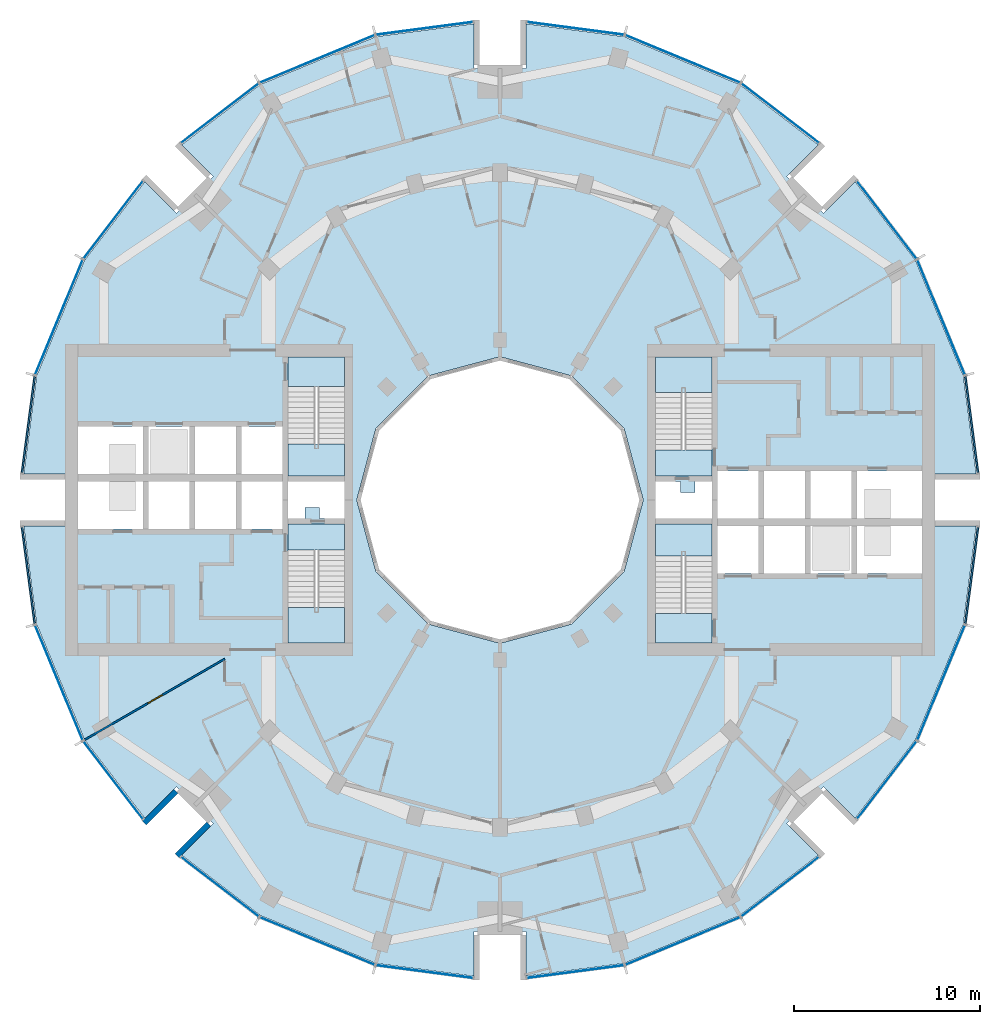
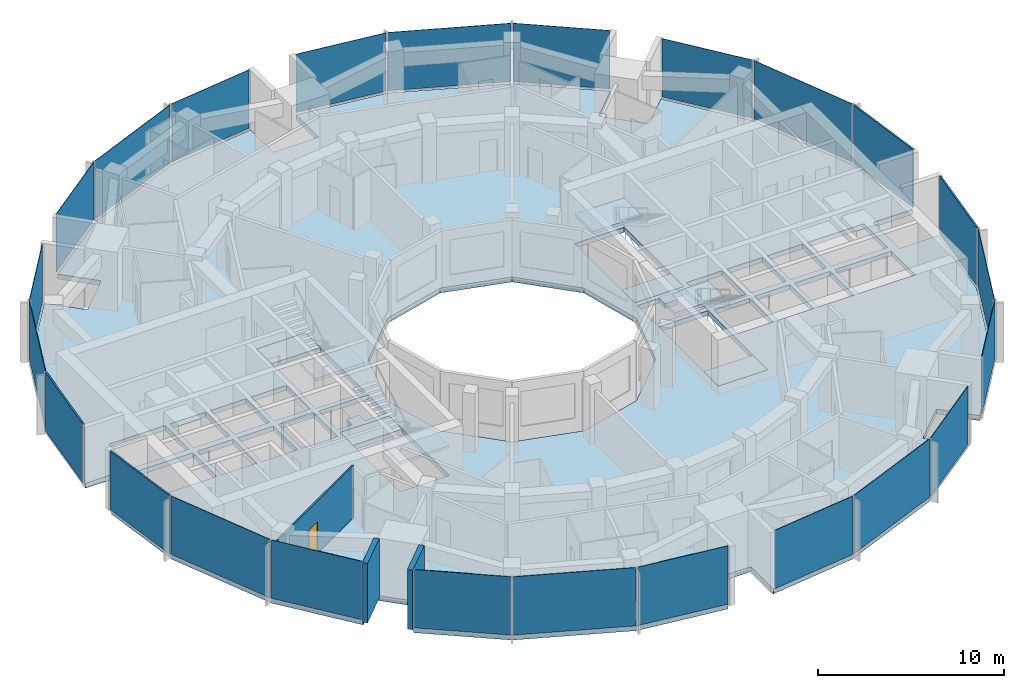
# One storey, part 7 of 15: 24 plates, 9 slabs, 3 walls, 1 door, 1 opening, 28 elements without a shape of their own.
"""IFC4 building model written with IfcOpenShell, lengths in metres."""

from ifc_helpers import new_model, si_unit, direction, frame, frame_2d, origin, origin_2d, place, context, subcontext, project, spatial, polyline, rectangle, outline, extrude, material, layer, layer_set, type_object, element, fill, aggregate, save


model = new_model("IFC4")

# Units and contexts
model_context = context("Model", 3, precision=1e-05, world=origin(), true_north=direction((0.0, 1.0)))
body_context = subcontext(model_context, "Body", "Model", "MODEL_VIEW")
ifc_project = project(units=[si_unit("LENGTHUNIT", "METRE"), si_unit("AREAUNIT", "SQUARE_METRE"), si_unit("VOLUMEUNIT", "CUBIC_METRE"), si_unit("PLANEANGLEUNIT", "RADIAN"), si_unit("MASSUNIT", "GRAM", prefix="KILO")], contexts=[model_context])

# Site, building, storey
site_placement = place(None, origin())
site = spatial("IfcSite", under=ifc_project, at=site_placement, CompositionType="ELEMENT")
building_placement = place(site_placement, origin())
building = spatial("IfcBuilding", under=site, at=building_placement, Name="Torre Brocal", CompositionType="ELEMENT")
storey_placement = place(building_placement, frame((0.0, 0.0, 134.10009765625)))
storey = spatial("IfcBuildingStorey", under=building, at=storey_placement, Name="L31", CompositionType="ELEMENT", Elevation=134.10009765625)

# Curtain wall, plate
ifc_material_1 = material(Name="Aluminium and glass", Category="aluminium")
ifc_layer_1 = layer(ifc_material_1, 0.199951171875)
ifc_layer_set_1 = layer_set([ifc_layer_1], Name="Aluminium and glass")
curtain_wall_type_1 = type_object("IfcCurtainWallType", Name="CW-1 CURTAIN WALL 3900 HIGH", PredefinedType="NOTDEFINED", material=ifc_layer_set_1)
curtain_wall_1_placement = place(storey_placement, origin())
curtain_wall_1 = element("IfcCurtainWall", 1, at=curtain_wall_1_placement, inside=storey, type_object=curtain_wall_type_1, Name="CW-1 RUN 2", PredefinedType="NOTDEFINED")
ifc_material_2 = material(Name="Glass, dark tinted laminated", Category="glass")
ifc_layer_2 = layer(ifc_material_2, 0.031982421875)
ifc_layer_set_2 = layer_set([ifc_layer_2], Name="Glass, dark tinted laminated")
plate_type_1 = type_object("IfcPlateType", Name="CW-1 GLASS PANEL 32", PredefinedType="CURTAIN_PANEL", material=ifc_layer_set_2)
plate_1_placement = place(storey_placement, frame((103.722900390625, 84.826416015625, 0.080078125), z_axis=(0.0, 0.0, 1.0), x_axis=(-0.382683432333, 0.923879532525, 0.0)))
plate_1 = element("IfcPlate", 2, at=plate_1_placement, type_object=plate_type_1, Name="CW1-3 panel 1.1", PredefinedType="CURTAIN_PANEL", context=body_context, shape_type="SweptSolid", body=[
    extrude(rectangle(XDim=6.64111328125, YDim=0.031982421875, at=origin_2d()), origin(), (0.0, 0.0, 1.0), 3.820068359375),
])
aggregate(curtain_wall_1, [plate_1])

curtain_wall_2_placement = place(storey_placement, origin())
curtain_wall_2 = element("IfcCurtainWall", 3, at=curtain_wall_2_placement, inside=storey, type_object=curtain_wall_type_1, Name="CW-1 RUN 3", PredefinedType="NOTDEFINED")
plate_2_placement = place(storey_placement, frame((100.80126953125, 90.0712890625, 0.080078125), z_axis=(0.0, 0.0, 1.0), x_axis=(-0.60876142905, 0.793353340259, 0.0)))
plate_2 = element("IfcPlate", 4, at=plate_2_placement, type_object=plate_type_1, Name="CW1-3 panel 1.1", PredefinedType="CURTAIN_PANEL", context=body_context, shape_type="SweptSolid", body=[
    extrude(rectangle(XDim=5.22900390625, YDim=0.031982421875, at=origin_2d()), origin(), (0.0, 0.0, 1.0), 3.820068359375),
])
aggregate(curtain_wall_2, [plate_2])

curtain_wall_3_placement = place(storey_placement, origin())
curtain_wall_3 = element("IfcCurtainWall", 5, at=curtain_wall_3_placement, inside=storey, type_object=curtain_wall_type_1, Name="CW-1 RUN 4", PredefinedType="NOTDEFINED")
plate_3_placement = place(storey_placement, frame((95.0712890625, 95.80126953125, 0.080078125), z_axis=(0.0, 0.0, 1.0), x_axis=(-0.793353340259, 0.60876142905, 0.0)))
plate_3 = element("IfcPlate", 6, at=plate_3_placement, type_object=plate_type_1, Name="CW1-3 panel 1.1", PredefinedType="CURTAIN_PANEL", context=body_context, shape_type="SweptSolid", body=[
    extrude(rectangle(XDim=5.22900390625, YDim=0.031982421875, at=origin_2d()), origin(), (0.0, 0.0, 1.0), 3.820068359375),
])
aggregate(curtain_wall_3, [plate_3])

curtain_wall_4_placement = place(storey_placement, origin())
curtain_wall_4 = element("IfcCurtainWall", 7, at=curtain_wall_4_placement, inside=storey, type_object=curtain_wall_type_1, Name="CW-1 RUN 5", PredefinedType="NOTDEFINED")
plate_4_placement = place(storey_placement, frame((89.826416015625, 98.722900390625, 0.080078125), z_axis=(0.0, 0.0, 1.0), x_axis=(-0.923879532525, 0.382683432333, 0.0)))
plate_4 = element("IfcPlate", 8, at=plate_4_placement, type_object=plate_type_1, Name="CW1-3 panel 1.1", PredefinedType="CURTAIN_PANEL", context=body_context, shape_type="SweptSolid", body=[
    extrude(rectangle(XDim=6.64111328125, YDim=0.031982421875, at=origin_2d()), origin(), (0.0, 0.0, 1.0), 3.820068359375),
])
aggregate(curtain_wall_4, [plate_4])

curtain_wall_5_placement = place(storey_placement, origin())
curtain_wall_5 = element("IfcCurtainWall", 9, at=curtain_wall_5_placement, inside=storey, type_object=curtain_wall_type_1, Name="CW-1 RUN 6", PredefinedType="NOTDEFINED")
plate_5_placement = place(storey_placement, frame((84.051513671875, 100.36572265625, 0.080078125), z_axis=(0.0, 0.0, 1.0), x_axis=(-0.991444861374, 0.13052619222, 0.0)))
plate_5 = element("IfcPlate", 10, at=plate_5_placement, type_object=plate_type_1, Name="CW1-3 panel 1.1", PredefinedType="CURTAIN_PANEL", context=body_context, shape_type="SweptSolid", body=[
    extrude(rectangle(XDim=5.22900390625, YDim=0.031982421875, at=origin_2d()), origin(), (0.0, 0.0, 1.0), 3.820068359375),
])
aggregate(curtain_wall_5, [plate_5])

curtain_wall_6_placement = place(storey_placement, origin())
curtain_wall_6 = element("IfcCurtainWall", 11, at=curtain_wall_6_placement, inside=storey, type_object=curtain_wall_type_1, Name="CW-1 RUN 7", PredefinedType="NOTDEFINED")
plate_6_placement = place(storey_placement, frame((75.948486328125, 100.36572265625, 0.080078125), z_axis=(0.0, 0.0, 1.0), x_axis=(-0.991444861374, -0.13052619222, 0.0)))
plate_6 = element("IfcPlate", 12, at=plate_6_placement, type_object=plate_type_1, Name="CW1-3 panel 1.1", PredefinedType="CURTAIN_PANEL", context=body_context, shape_type="SweptSolid", body=[
    extrude(rectangle(XDim=5.22900390625, YDim=0.031982421875, at=origin_2d()), origin(), (0.0, 0.0, 1.0), 3.820068359375),
])
aggregate(curtain_wall_6, [plate_6])

curtain_wall_7_placement = place(storey_placement, origin())
curtain_wall_7 = element("IfcCurtainWall", 13, at=curtain_wall_7_placement, inside=storey, type_object=curtain_wall_type_1, Name="CW-1 RUN 8", PredefinedType="NOTDEFINED")
plate_7_placement = place(storey_placement, frame((70.173583984375, 98.722900390625, 0.080078125), z_axis=(0.0, 0.0, 1.0), x_axis=(-0.923879532525, -0.382683432333, 0.0)))
plate_7 = element("IfcPlate", 14, at=plate_7_placement, type_object=plate_type_1, Name="CW1-3 panel 1.1", PredefinedType="CURTAIN_PANEL", context=body_context, shape_type="SweptSolid", body=[
    extrude(rectangle(XDim=6.64111328125, YDim=0.031982421875, at=origin_2d()), origin(), (0.0, 0.0, 1.0), 3.820068359375),
])
aggregate(curtain_wall_7, [plate_7])

curtain_wall_8_placement = place(storey_placement, origin())
curtain_wall_8 = element("IfcCurtainWall", 15, at=curtain_wall_8_placement, inside=storey, type_object=curtain_wall_type_1, Name="CW-1 RUN 9", PredefinedType="NOTDEFINED")
plate_8_placement = place(storey_placement, frame((64.9287109375, 95.80126953125, 0.080078125), z_axis=(0.0, 0.0, 1.0), x_axis=(-0.793353340259, -0.60876142905, 0.0)))
plate_8 = element("IfcPlate", 16, at=plate_8_placement, type_object=plate_type_1, Name="CW1-3 panel 1.1", PredefinedType="CURTAIN_PANEL", context=body_context, shape_type="SweptSolid", body=[
    extrude(rectangle(XDim=5.22900390625, YDim=0.031982421875, at=origin_2d()), origin(), (0.0, 0.0, 1.0), 3.820068359375),
])
aggregate(curtain_wall_8, [plate_8])

curtain_wall_9_placement = place(storey_placement, origin())
curtain_wall_9 = element("IfcCurtainWall", 17, at=curtain_wall_9_placement, inside=storey, type_object=curtain_wall_type_1, Name="CW-1 RUN 10", PredefinedType="NOTDEFINED")
plate_9_placement = place(storey_placement, frame((59.19873046875, 90.0712890625, 0.080078125), z_axis=(0.0, 0.0, 1.0), x_axis=(-0.60876142905, -0.793353340259, 0.0)))
plate_9 = element("IfcPlate", 18, at=plate_9_placement, type_object=plate_type_1, Name="CW1-3 panel 1.1", PredefinedType="CURTAIN_PANEL", context=body_context, shape_type="SweptSolid", body=[
    extrude(rectangle(XDim=5.22900390625, YDim=0.031982421875, at=origin_2d()), origin(), (0.0, 0.0, 1.0), 3.820068359375),
])
aggregate(curtain_wall_9, [plate_9])

curtain_wall_10_placement = place(storey_placement, origin())
curtain_wall_10 = element("IfcCurtainWall", 19, at=curtain_wall_10_placement, inside=storey, type_object=curtain_wall_type_1, Name="CW-1 RUN 11", PredefinedType="NOTDEFINED")
plate_10_placement = place(storey_placement, frame((56.277099609375, 84.826416015625, 0.080078125), z_axis=(0.0, 0.0, 1.0), x_axis=(-0.382683432333, -0.923879532525, 0.0)))
plate_10 = element("IfcPlate", 20, at=plate_10_placement, type_object=plate_type_1, Name="CW1-3 panel 1.1", PredefinedType="CURTAIN_PANEL", context=body_context, shape_type="SweptSolid", body=[
    extrude(rectangle(XDim=6.64111328125, YDim=0.031982421875, at=origin_2d()), origin(), (0.0, 0.0, 1.0), 3.820068359375),
])
aggregate(curtain_wall_10, [plate_10])

curtain_wall_11_placement = place(storey_placement, origin())
curtain_wall_11 = element("IfcCurtainWall", 21, at=curtain_wall_11_placement, inside=storey, type_object=curtain_wall_type_1, Name="CW-1 RUN 14", PredefinedType="NOTDEFINED")
plate_11_placement = place(storey_placement, frame((56.277099609375, 65.173583984375, 0.080078125), z_axis=(0.0, 0.0, 1.0), x_axis=(0.382683432333, -0.923879532525, 0.0)))
plate_11 = element("IfcPlate", 22, at=plate_11_placement, type_object=plate_type_1, Name="CW1-3 panel 1.1", PredefinedType="CURTAIN_PANEL", context=body_context, shape_type="SweptSolid", body=[
    extrude(rectangle(XDim=6.64111328125, YDim=0.031982421875, at=origin_2d()), origin(), (0.0, 0.0, 1.0), 3.820068359375),
])
aggregate(curtain_wall_11, [plate_11])

curtain_wall_12_placement = place(storey_placement, origin())
curtain_wall_12 = element("IfcCurtainWall", 23, at=curtain_wall_12_placement, inside=storey, type_object=curtain_wall_type_1, Name="CW-1 RUN 15", PredefinedType="NOTDEFINED")
plate_12_placement = place(storey_placement, frame((59.19873046875, 59.9287109375, 0.080078125), z_axis=(0.0, 0.0, 1.0), x_axis=(0.60876142905, -0.793353340259, 0.0)))
plate_12 = element("IfcPlate", 24, at=plate_12_placement, type_object=plate_type_1, Name="CW1-3 panel 1.1", PredefinedType="CURTAIN_PANEL", context=body_context, shape_type="SweptSolid", body=[
    extrude(rectangle(XDim=5.22900390625, YDim=0.031982421875, at=origin_2d()), origin(), (0.0, 0.0, 1.0), 3.820068359375),
])
aggregate(curtain_wall_12, [plate_12])

curtain_wall_13_placement = place(storey_placement, origin())
curtain_wall_13 = element("IfcCurtainWall", 25, at=curtain_wall_13_placement, inside=storey, type_object=curtain_wall_type_1, Name="CW-1 RUN 16", PredefinedType="NOTDEFINED")
plate_13_placement = place(storey_placement, frame((64.9287109375, 54.19873046875, 0.080078125), z_axis=(0.0, 0.0, 1.0), x_axis=(0.793353340259, -0.60876142905, 0.0)))
plate_13 = element("IfcPlate", 26, at=plate_13_placement, type_object=plate_type_1, Name="CW1-3 panel 1.1", PredefinedType="CURTAIN_PANEL", context=body_context, shape_type="SweptSolid", body=[
    extrude(rectangle(XDim=5.22900390625, YDim=0.031982421875, at=origin_2d()), origin(), (0.0, 0.0, 1.0), 3.820068359375),
])
aggregate(curtain_wall_13, [plate_13])

curtain_wall_14_placement = place(storey_placement, origin())
curtain_wall_14 = element("IfcCurtainWall", 27, at=curtain_wall_14_placement, inside=storey, type_object=curtain_wall_type_1, Name="CW-1 RUN 17", PredefinedType="NOTDEFINED")
plate_14_placement = place(storey_placement, frame((70.173583984375, 51.277099609375, 0.080078125), z_axis=(0.0, 0.0, 1.0), x_axis=(0.923879532525, -0.382683432333, 0.0)))
plate_14 = element("IfcPlate", 28, at=plate_14_placement, type_object=plate_type_1, Name="CW1-3 panel 1.1", PredefinedType="CURTAIN_PANEL", context=body_context, shape_type="SweptSolid", body=[
    extrude(rectangle(XDim=6.64111328125, YDim=0.031982421875, at=origin_2d()), origin(), (0.0, 0.0, 1.0), 3.820068359375),
])
aggregate(curtain_wall_14, [plate_14])

curtain_wall_15_placement = place(storey_placement, origin())
curtain_wall_15 = element("IfcCurtainWall", 29, at=curtain_wall_15_placement, inside=storey, type_object=curtain_wall_type_1, Name="CW-1 RUN 18", PredefinedType="NOTDEFINED")
plate_15_placement = place(storey_placement, frame((75.948486328125, 49.63427734375, 0.080078125), z_axis=(0.0, 0.0, 1.0), x_axis=(0.991444861374, -0.13052619222, 0.0)))
plate_15 = element("IfcPlate", 30, at=plate_15_placement, type_object=plate_type_1, Name="CW1-3 panel 1.1", PredefinedType="CURTAIN_PANEL", context=body_context, shape_type="SweptSolid", body=[
    extrude(rectangle(XDim=5.22900390625, YDim=0.031982421875, at=origin_2d()), origin(), (0.0, 0.0, 1.0), 3.820068359375),
])
aggregate(curtain_wall_15, [plate_15])

curtain_wall_16_placement = place(storey_placement, origin())
curtain_wall_16 = element("IfcCurtainWall", 31, at=curtain_wall_16_placement, inside=storey, type_object=curtain_wall_type_1, Name="CW-1 RUN 19", PredefinedType="NOTDEFINED")
plate_16_placement = place(storey_placement, frame((84.051513671875, 49.63427734375, 0.080078125), z_axis=(0.0, 0.0, 1.0), x_axis=(0.991444861374, 0.13052619222, 0.0)))
plate_16 = element("IfcPlate", 32, at=plate_16_placement, type_object=plate_type_1, Name="CW1-3 panel 1.1", PredefinedType="CURTAIN_PANEL", context=body_context, shape_type="SweptSolid", body=[
    extrude(rectangle(XDim=5.22900390625, YDim=0.031982421875, at=origin_2d()), origin(), (0.0, 0.0, 1.0), 3.820068359375),
])
aggregate(curtain_wall_16, [plate_16])

curtain_wall_17_placement = place(storey_placement, origin())
curtain_wall_17 = element("IfcCurtainWall", 33, at=curtain_wall_17_placement, inside=storey, type_object=curtain_wall_type_1, Name="CW-1 RUN 20", PredefinedType="NOTDEFINED")
plate_17_placement = place(storey_placement, frame((89.826416015625, 51.277099609375, 0.080078125), z_axis=(0.0, 0.0, 1.0), x_axis=(0.923879532525, 0.382683432333, 0.0)))
plate_17 = element("IfcPlate", 34, at=plate_17_placement, type_object=plate_type_1, Name="CW1-3 panel 1.1", PredefinedType="CURTAIN_PANEL", context=body_context, shape_type="SweptSolid", body=[
    extrude(rectangle(XDim=6.64111328125, YDim=0.031982421875, at=origin_2d()), origin(), (0.0, 0.0, 1.0), 3.820068359375),
])
aggregate(curtain_wall_17, [plate_17])

curtain_wall_18_placement = place(storey_placement, origin())
curtain_wall_18 = element("IfcCurtainWall", 35, at=curtain_wall_18_placement, inside=storey, type_object=curtain_wall_type_1, Name="CW-1 RUN 21", PredefinedType="NOTDEFINED")
plate_18_placement = place(storey_placement, frame((95.0712890625, 54.19873046875, 0.080078125), z_axis=(0.0, 0.0, 1.0), x_axis=(0.793353340259, 0.60876142905, 0.0)))
plate_18 = element("IfcPlate", 36, at=plate_18_placement, type_object=plate_type_1, Name="CW1-3 panel 1.1", PredefinedType="CURTAIN_PANEL", context=body_context, shape_type="SweptSolid", body=[
    extrude(rectangle(XDim=5.22900390625, YDim=0.031982421875, at=origin_2d()), origin(), (0.0, 0.0, 1.0), 3.820068359375),
])
aggregate(curtain_wall_18, [plate_18])

curtain_wall_19_placement = place(storey_placement, origin())
curtain_wall_19 = element("IfcCurtainWall", 37, at=curtain_wall_19_placement, inside=storey, type_object=curtain_wall_type_1, Name="CW-1 RUN 22", PredefinedType="NOTDEFINED")
plate_19_placement = place(storey_placement, frame((100.80126953125, 59.9287109375, 0.080078125), z_axis=(0.0, 0.0, 1.0), x_axis=(0.60876142905, 0.793353340259, 0.0)))
plate_19 = element("IfcPlate", 38, at=plate_19_placement, type_object=plate_type_1, Name="CW1-3 panel 1.1", PredefinedType="CURTAIN_PANEL", context=body_context, shape_type="SweptSolid", body=[
    extrude(rectangle(XDim=5.22900390625, YDim=0.031982421875, at=origin_2d()), origin(), (0.0, 0.0, 1.0), 3.820068359375),
])
aggregate(curtain_wall_19, [plate_19])

curtain_wall_20_placement = place(storey_placement, origin())
curtain_wall_20 = element("IfcCurtainWall", 39, at=curtain_wall_20_placement, inside=storey, type_object=curtain_wall_type_1, Name="CW-1 RUN 23", PredefinedType="NOTDEFINED")
plate_20_placement = place(storey_placement, frame((103.722900390625, 65.173583984375, 0.080078125), z_axis=(0.0, 0.0, 1.0), x_axis=(0.382683432333, 0.923879532525, 0.0)))
plate_20 = element("IfcPlate", 40, at=plate_20_placement, type_object=plate_type_1, Name="CW1-3 panel 1.1", PredefinedType="CURTAIN_PANEL", context=body_context, shape_type="SweptSolid", body=[
    extrude(rectangle(XDim=6.64111328125, YDim=0.031982421875, at=origin_2d()), origin(), (0.0, 0.0, 1.0), 3.820068359375),
])
aggregate(curtain_wall_20, [plate_20])

ifc_material_3 = material(Name="Aluminium and glass", Category="aluminium")
ifc_layer_3 = layer(ifc_material_3, 0.199951171875)
ifc_layer_set_3 = layer_set([ifc_layer_3], Name="Aluminium and glass")
curtain_wall_type_2 = type_object("IfcCurtainWallType", Name="CW-1B CURTAIN WALL 3900 HIGH", PredefinedType="NOTDEFINED", material=ifc_layer_set_3)
curtain_wall_21_placement = place(storey_placement, origin())
curtain_wall_21 = element("IfcCurtainWall", 41, at=curtain_wall_21_placement, inside=storey, type_object=curtain_wall_type_2, Name="CW-1B RUN 1", PredefinedType="NOTDEFINED")
ifc_material_4 = material(Name="Aluminium composite panel", Category="aluminium")
ifc_layer_4 = layer(ifc_material_4, 0.10009765625)
ifc_layer_set_4 = layer_set([ifc_layer_4], Name="Aluminium composite panel")
plate_type_2 = type_object("IfcPlateType", Name="CW-1B OPAQUE PANEL 100", PredefinedType="CURTAIN_PANEL", material=ifc_layer_set_4)
plate_21_placement = place(storey_placement, frame((105.36572265625, 79.051513671875, 0.080078125), z_axis=(0.0, 0.0, 1.0), x_axis=(-0.13052619222, 0.991444861374, 0.0)))
plate_21 = element("IfcPlate", 42, at=plate_21_placement, type_object=plate_type_2, Name="CW1B-3 panel 1.1", PredefinedType="CURTAIN_PANEL", context=body_context, shape_type="SweptSolid", body=[
    extrude(rectangle(XDim=5.22900390625, YDim=0.10009765625, at=origin_2d()), origin(), (0.0, 0.0, 1.0), 3.820068359375),
])
aggregate(curtain_wall_21, [plate_21])

curtain_wall_22_placement = place(storey_placement, origin())
curtain_wall_22 = element("IfcCurtainWall", 43, at=curtain_wall_22_placement, inside=storey, type_object=curtain_wall_type_2, Name="CW-1B RUN 12", PredefinedType="NOTDEFINED")
plate_22_placement = place(storey_placement, frame((54.63427734375, 79.051513671875, 0.080078125), z_axis=(0.0, 0.0, 1.0), x_axis=(-0.13052619222, -0.991444861374, 0.0)))
plate_22 = element("IfcPlate", 44, at=plate_22_placement, type_object=plate_type_2, Name="CW1B-3 panel 1.1", PredefinedType="CURTAIN_PANEL", context=body_context, shape_type="SweptSolid", body=[
    extrude(rectangle(XDim=5.22900390625, YDim=0.10009765625, at=origin_2d()), origin(), (0.0, 0.0, 1.0), 3.820068359375),
])
aggregate(curtain_wall_22, [plate_22])

curtain_wall_23_placement = place(storey_placement, origin())
curtain_wall_23 = element("IfcCurtainWall", 45, at=curtain_wall_23_placement, inside=storey, type_object=curtain_wall_type_2, Name="CW-1B RUN 13", PredefinedType="NOTDEFINED")
plate_23_placement = place(storey_placement, frame((54.63427734375, 70.948486328125, 0.080078125), z_axis=(0.0, 0.0, 1.0), x_axis=(0.13052619222, -0.991444861374, 0.0)))
plate_23 = element("IfcPlate", 46, at=plate_23_placement, type_object=plate_type_2, Name="CW1B-3 panel 1.1", PredefinedType="CURTAIN_PANEL", context=body_context, shape_type="SweptSolid", body=[
    extrude(rectangle(XDim=5.22900390625, YDim=0.10009765625, at=origin_2d()), origin(), (0.0, 0.0, 1.0), 3.820068359375),
])
aggregate(curtain_wall_23, [plate_23])

curtain_wall_24_placement = place(storey_placement, origin())
curtain_wall_24 = element("IfcCurtainWall", 47, at=curtain_wall_24_placement, inside=storey, type_object=curtain_wall_type_2, Name="CW-1B RUN 24", PredefinedType="NOTDEFINED")
plate_24_placement = place(storey_placement, frame((105.36572265625, 70.948486328125, 0.080078125), z_axis=(0.0, 0.0, 1.0), x_axis=(0.13052619222, 0.991444861374, 0.0)))
plate_24 = element("IfcPlate", 48, at=plate_24_placement, type_object=plate_type_2, Name="CW1B-3 panel 1.1", PredefinedType="CURTAIN_PANEL", context=body_context, shape_type="SweptSolid", body=[
    extrude(rectangle(XDim=5.22900390625, YDim=0.10009765625, at=origin_2d()), origin(), (0.0, 0.0, 1.0), 3.820068359375),
])
aggregate(curtain_wall_24, [plate_24])

# Stair, slab
ifc_material_5 = material(Name="Concrete C50", Category="concrete")
stair_type = type_object("IfcStairType", Name="EXIT STAIR", PredefinedType="HALF_TURN_STAIR", material=ifc_material_5)
stair_1_placement = place(storey_placement, origin())
stair_1 = element("IfcStair", 49, at=stair_1_placement, inside=storey, type_object=stair_type, Name="EXIT STAIR ST1", PredefinedType="HALF_TURN_STAIR")
ifc_material_6 = material(Name="Concrete C50", Category="concrete")
ifc_layer_5 = layer(ifc_material_6, 0.320068359375)
ifc_layer_set_5 = layer_set([ifc_layer_5], Name="Concrete C50")
slab_type_1 = type_object("IfcSlabType", Name="FLOOR LANDING 320", PredefinedType="LANDING", material=ifc_layer_set_5)
slab_1_placement = place(storey_placement, frame((0.0, 0.0, -0.320068359375)))
slab_1 = element("IfcSlab", 50, at=slab_1_placement, type_object=slab_type_1, Name="ST1 landing 1", PredefinedType="LANDING", context=body_context, shape_type="SweptSolid", body=[
    extrude(outline(polyline([(88.35009765625, 76.300048828125), (91.39990234375, 76.300048828125), (91.39990234375, 77.699951171875), (88.35009765625, 77.699951171875), (88.35009765625, 76.300048828125)])), origin(), (0.0, 0.0, 1.0), 0.320068359375),
])

stair_2_placement = place(storey_placement, origin())
stair_2 = element("IfcStair", 51, at=stair_2_placement, inside=storey, type_object=stair_type, Name="EXIT STAIR ST2", PredefinedType="HALF_TURN_STAIR")
slab_2_placement = place(storey_placement, frame((0.0, 0.0, -0.320068359375)))
slab_2 = element("IfcSlab", 52, at=slab_2_placement, type_object=slab_type_1, Name="ST2 landing 1", PredefinedType="LANDING", context=body_context, shape_type="SweptSolid", body=[
    extrude(outline(polyline([(88.35009765625, 67.300048828125), (91.39990234375, 67.300048828125), (91.39990234375, 68.89990234375), (88.35009765625, 68.89990234375), (88.35009765625, 67.300048828125)])), origin(), (0.0, 0.0, 1.0), 0.320068359375),
])

stair_3_placement = place(storey_placement, origin())
stair_3 = element("IfcStair", 53, at=stair_3_placement, inside=storey, type_object=stair_type, Name="EXIT STAIR ST3", PredefinedType="HALF_TURN_STAIR")
slab_3_placement = place(storey_placement, frame((0.0, 0.0, -0.320068359375)))
slab_3 = element("IfcSlab", 54, at=slab_3_placement, type_object=slab_type_1, Name="ST3 landing 1", PredefinedType="LANDING", context=body_context, shape_type="SweptSolid", body=[
    extrude(outline(polyline([(71.64990234375, 73.699951171875), (68.60009765625, 73.699951171875), (68.60009765625, 72.300048828125), (71.64990234375, 72.300048828125), (71.64990234375, 73.699951171875)])), origin(), (0.0, 0.0, 1.0), 0.320068359375),
])

stair_4_placement = place(storey_placement, origin())
stair_4 = element("IfcStair", 55, at=stair_4_placement, inside=storey, type_object=stair_type, Name="EXIT STAIR ST4", PredefinedType="HALF_TURN_STAIR")
slab_4_placement = place(storey_placement, frame((0.0, 0.0, -0.320068359375)))
slab_4 = element("IfcSlab", 56, at=slab_4_placement, type_object=slab_type_1, Name="ST4 landing 1", PredefinedType="LANDING", context=body_context, shape_type="SweptSolid", body=[
    extrude(outline(polyline([(71.64990234375, 82.699951171875), (68.60009765625, 82.699951171875), (68.60009765625, 81.10009765625), (71.64990234375, 81.10009765625), (71.64990234375, 82.699951171875)])), origin(), (0.0, 0.0, 1.0), 0.320068359375),
])

# Slab
ifc_material_7 = material(Name="Concrete C50", Category="concrete")
ifc_layer_6 = layer(ifc_material_7, 0.199951171875)
ifc_layer_set_6 = layer_set([ifc_layer_6], Name="Concrete C50")
slab_type_2 = type_object("IfcSlabType", Name="MID LANDING +1950", PredefinedType="LANDING", material=ifc_layer_set_6)
slab_5_placement = place(storey_placement, frame((0.0, 0.0, 1.75)))
slab_5 = element("IfcSlab", 57, at=slab_5_placement, type_object=slab_type_2, Name="ST1 landing 2", PredefinedType="LANDING", context=body_context, shape_type="SweptSolid", body=[
    extrude(outline(polyline([(88.35009765625, 80.780029296875), (91.39990234375, 80.780029296875), (91.39990234375, 82.699951171875), (88.35009765625, 82.699951171875), (88.35009765625, 80.780029296875)])), origin(), (0.0, 0.0, 1.0), 0.199951171875),
])

aggregate(stair_1, [slab_1, slab_5])

slab_6_placement = place(storey_placement, frame((0.0, 0.0, 1.75)))
slab_6 = element("IfcSlab", 58, at=slab_6_placement, type_object=slab_type_2, Name="ST2 landing 2", PredefinedType="LANDING", context=body_context, shape_type="SweptSolid", body=[
    extrude(outline(polyline([(88.35009765625, 71.97998046875), (91.39990234375, 71.97998046875), (91.39990234375, 73.699951171875), (88.35009765625, 73.699951171875), (88.35009765625, 71.97998046875)])), origin(), (0.0, 0.0, 1.0), 0.199951171875),
])

aggregate(stair_2, [slab_2, slab_6])

slab_7_placement = place(storey_placement, frame((0.0, 0.0, 1.75)))
slab_7 = element("IfcSlab", 59, at=slab_7_placement, type_object=slab_type_2, Name="ST3 landing 2", PredefinedType="LANDING", context=body_context, shape_type="SweptSolid", body=[
    extrude(outline(polyline([(71.64990234375, 69.219970703125), (68.60009765625, 69.219970703125), (68.60009765625, 67.300048828125), (71.64990234375, 67.300048828125), (71.64990234375, 69.219970703125)])), origin(), (0.0, 0.0, 1.0), 0.199951171875),
])

aggregate(stair_3, [slab_3, slab_7])

slab_8_placement = place(storey_placement, frame((0.0, 0.0, 1.75)))
slab_8 = element("IfcSlab", 60, at=slab_8_placement, type_object=slab_type_2, Name="ST4 landing 2", PredefinedType="LANDING", context=body_context, shape_type="SweptSolid", body=[
    extrude(outline(polyline([(71.64990234375, 78.02001953125), (68.60009765625, 78.02001953125), (68.60009765625, 76.300048828125), (71.64990234375, 76.300048828125), (71.64990234375, 78.02001953125)])), origin(), (0.0, 0.0, 1.0), 0.199951171875),
])

aggregate(stair_4, [slab_4, slab_8])

ifc_material_8 = material(Name="Concrete C45", Category="concrete")
ifc_layer_7 = layer(ifc_material_8, 0.320068359375)
ifc_layer_set_7 = layer_set([ifc_layer_7], Name="Concrete C45")
slab_type_3 = type_object("IfcSlabType", Name="PT FLOOR SLAB 320 C45", PredefinedType="FLOOR", material=ifc_layer_set_7)
slab_9_placement = place(storey_placement, frame((0.0, 0.0, -0.320068359375)))
element("IfcSlab", 61, at=slab_9_placement, inside=storey, type_object=slab_type_3, Name="Slab ST-05", PredefinedType="FLOOR", context=body_context, shape_type="SweptSolid", body=[
    extrude(outline(polyline([(103.199951171875, 76.39990234375), (103.199951171875, 73.60009765625), (105.614013671875, 73.60009765625), (104.919189453125, 68.322998046875), (102.342041015625, 62.100830078125), (99.101806640625, 57.878173828125), (97.394775390625, 59.5849609375), (95.4150390625, 57.605224609375), (97.121826171875, 55.898193359375), (92.899169921875, 52.657958984375), (86.677001953125, 50.080810546875), (81.39990234375, 49.385986328125), (81.39990234375, 51.800048828125), (78.60009765625, 51.800048828125), (78.60009765625, 49.385986328125), (73.322998046875, 50.080810546875), (67.100830078125, 52.657958984375), (62.878173828125, 55.898193359375), (64.5849609375, 57.605224609375), (62.605224609375, 59.5849609375), (60.898193359375, 57.878173828125), (57.657958984375, 62.100830078125), (55.080810546875, 68.322998046875), (54.385986328125, 73.60009765625), (56.800048828125, 73.60009765625), (56.800048828125, 76.39990234375), (54.385986328125, 76.39990234375), (55.080810546875, 81.677001953125), (57.657958984375, 87.899169921875), (60.898193359375, 92.121826171875), (62.605224609375, 90.4150390625), (64.5849609375, 92.394775390625), (62.878173828125, 94.101806640625), (67.100830078125, 97.342041015625), (73.322998046875, 99.919189453125), (78.60009765625, 100.614013671875), (78.60009765625, 98.199951171875), (81.39990234375, 98.199951171875), (81.39990234375, 100.614013671875), (86.677001953125, 99.919189453125), (92.899169921875, 97.342041015625), (97.121826171875, 94.101806640625), (95.4150390625, 92.394775390625), (97.394775390625, 90.4150390625), (99.101806640625, 92.121826171875), (102.342041015625, 87.899169921875), (104.919189453125, 81.677001953125), (105.614013671875, 76.39990234375), (103.199951171875, 76.39990234375)]), holes=[polyline([(102.699951171875, 74.0), (102.699951171875, 76.550048828125), (99.199951171875, 76.550048828125), (99.199951171875, 74.0), (102.699951171875, 74.0)]), polyline([(102.699951171875, 71.050048828125), (102.699951171875, 73.60009765625), (99.199951171875, 73.60009765625), (99.199951171875, 71.050048828125), (102.699951171875, 71.050048828125)]), polyline([(98.89990234375, 76.550048828125), (96.699951171875, 76.550048828125), (96.699951171875, 74.0), (98.89990234375, 74.0), (98.89990234375, 76.550048828125)]), polyline([(98.89990234375, 71.050048828125), (98.89990234375, 73.60009765625), (96.699951171875, 73.60009765625), (96.699951171875, 71.050048828125), (98.89990234375, 71.050048828125)]), polyline([(96.39990234375, 73.60009765625), (94.199951171875, 73.60009765625), (94.199951171875, 71.050048828125), (96.39990234375, 71.050048828125), (96.39990234375, 73.60009765625)]), polyline([(96.39990234375, 74.0), (96.39990234375, 76.550048828125), (94.199951171875, 76.550048828125), (94.199951171875, 74.0), (96.39990234375, 74.0)]), polyline([(93.89990234375, 73.60009765625), (91.699951171875, 73.60009765625), (91.699951171875, 71.050048828125), (93.89990234375, 71.050048828125), (93.89990234375, 73.60009765625)]), polyline([(93.89990234375, 74.0), (93.89990234375, 76.550048828125), (91.699951171875, 76.550048828125), (91.699951171875, 74.0), (93.89990234375, 74.0)]), polyline([(91.39990234375, 76.300048828125), (91.39990234375, 82.699951171875), (88.35009765625, 82.699951171875), (88.35009765625, 76.300048828125), (91.39990234375, 76.300048828125)]), polyline([(91.39990234375, 73.699951171875), (88.35009765625, 73.699951171875), (88.35009765625, 67.300048828125), (91.39990234375, 67.300048828125), (91.39990234375, 73.699951171875)]), polyline([(89.699951171875, 76.0), (88.35009765625, 76.0), (88.35009765625, 74.0), (91.39990234375, 74.0), (91.39990234375, 76.0), (90.5, 76.0), (90.5, 75.39990234375), (89.699951171875, 75.39990234375), (89.699951171875, 76.0)]), polyline([(80.0, 82.70703125), (76.146484375, 81.674560546875), (73.325439453125, 78.853515625), (72.29296875, 75.0), (73.325439453125, 71.146484375), (76.146484375, 68.325439453125), (80.0, 67.29296875), (83.853515625, 68.325439453125), (86.674560546875, 71.146484375), (87.70703125, 75.0), (86.674560546875, 78.853515625), (83.853515625, 81.674560546875), (80.0, 82.70703125)]), polyline([(68.60009765625, 82.699951171875), (68.60009765625, 76.300048828125), (71.64990234375, 76.300048828125), (71.64990234375, 82.699951171875), (68.60009765625, 82.699951171875)]), polyline([(70.300048828125, 74.0), (71.64990234375, 74.0), (71.64990234375, 76.0), (68.60009765625, 76.0), (68.60009765625, 74.0), (69.5, 74.0), (69.5, 74.60009765625), (70.300048828125, 74.60009765625), (70.300048828125, 74.0)]), polyline([(68.60009765625, 67.300048828125), (71.64990234375, 67.300048828125), (71.64990234375, 73.699951171875), (68.60009765625, 73.699951171875), (68.60009765625, 67.300048828125)]), polyline([(66.10009765625, 78.949951171875), (66.10009765625, 76.39990234375), (68.300048828125, 76.39990234375), (68.300048828125, 78.949951171875), (66.10009765625, 78.949951171875)]), polyline([(66.10009765625, 76.0), (66.10009765625, 73.449951171875), (68.300048828125, 73.449951171875), (68.300048828125, 76.0), (66.10009765625, 76.0)]), polyline([(63.60009765625, 76.0), (63.60009765625, 73.449951171875), (65.800048828125, 73.449951171875), (65.800048828125, 76.0), (63.60009765625, 76.0)]), polyline([(63.60009765625, 76.39990234375), (65.800048828125, 76.39990234375), (65.800048828125, 78.949951171875), (63.60009765625, 78.949951171875), (63.60009765625, 76.39990234375)]), polyline([(61.10009765625, 78.949951171875), (61.10009765625, 76.39990234375), (63.300048828125, 76.39990234375), (63.300048828125, 78.949951171875), (61.10009765625, 78.949951171875)]), polyline([(61.10009765625, 73.449951171875), (63.300048828125, 73.449951171875), (63.300048828125, 76.0), (61.10009765625, 76.0), (61.10009765625, 73.449951171875)]), polyline([(57.300048828125, 73.449951171875), (60.800048828125, 73.449951171875), (60.800048828125, 76.0), (57.300048828125, 76.0), (57.300048828125, 73.449951171875)]), polyline([(57.300048828125, 78.949951171875), (57.300048828125, 76.39990234375), (60.800048828125, 76.39990234375), (60.800048828125, 78.949951171875), (57.300048828125, 78.949951171875)])]), origin(), (0.0, 0.0, 1.0), 0.320068359375),
])

# Walls
ifc_material_9 = material(Name="Concrete C70", Category="concrete")
ifc_layer_8 = layer(ifc_material_9, 0.300048828125)
ifc_layer_set_8 = layer_set([ifc_layer_8], Name="Concrete C70")
wall_type_1 = type_object("IfcWallType", Name="NOTCH RETURN WALL 300 C70", PredefinedType="NOTDEFINED", material=ifc_layer_set_8)
for number, where, z_axis, x_axis, name in (
    (62, (62.56982421875, 59.337646484375, 0.0), (0.0, 0.0, 1.0), (-0.707106781187, -0.707106781187, 0.0), "NOTCH RETURN WALL"),
    (63, (64.337646484375, 57.56982421875, 0.0), (0.0, 0.0, 1.0), (-0.707106781187, -0.707106781187, 0.0), "NOTCH RETURN WALL"),
):
    element("IfcWall", number, at=place(storey_placement, frame(where, z_axis=z_axis, x_axis=x_axis)), inside=storey, type_object=wall_type_1, Name=name, PredefinedType="NOTDEFINED", context=body_context, shape_type="SweptSolid", body=[
        extrude(rectangle(XDim=2.415771484375, YDim=0.300048828125, at=frame_2d((1.2080078125, 0.0))), origin(), (0.0, 0.0, 1.0), 3.89990234375),
    ])

# Wall, opening, door
ifc_material_10 = material(Name="Gypsum board", Category="Gypsum")
ifc_layer_9 = layer(ifc_material_10, 0.10009765625)
ifc_layer_set_9 = layer_set([ifc_layer_9], Name="Gypsum board")
wall_type_2 = type_object("IfcWallType", Name="PARTITION 100", PredefinedType="PARTITIONING", material=ifc_layer_set_9)
wall_placement = place(storey_placement, frame((57.65869140625, 62.10107421875, 0.0), z_axis=(0.0, 0.0, 1.0), x_axis=(0.86602264145, 0.500004784474, 0.0)))
wall = element("IfcWall", 64, at=wall_placement, inside=storey, type_object=wall_type_2, Name="ROOM PARTITION", PredefinedType="PARTITIONING", context=body_context, shape_type="SweptSolid", body=[
    extrude(rectangle(XDim=8.7080078125, YDim=0.10009765625, at=frame_2d((4.35400390625, 0.0))), origin(), (0.0, 0.0, 1.0), 3.449951171875),
])
opening_placement = place(wall_placement, frame((3.928955078125, 0.0, 0.0)))
opening = element("IfcOpeningElement", 65, at=opening_placement, cuts=wall, Name="Opening E02-D40", PredefinedType="OPENING", context=body_context, shape_type="SweptSolid", body=[
    extrude(rectangle(XDim=0.89990234375, YDim=2.10009765625, at=frame_2d((0.449951171875, 1.050048828125))), frame((0.0, 0.06005859375, 0.0), z_axis=(0.0, -1.0, 0.0), x_axis=(1.0, 0.0, 0.0)), (0.0, 0.0, 1.0), 0.1201171875),
])
ifc_material_11 = material(Name="Timber", Category="wood")
door_type = type_object("IfcDoorType", Name="ROOM DOOR 900X2100", OperationType="SINGLE_SWING_LEFT", PredefinedType="DOOR", material=ifc_material_11)
door_placement = place(opening_placement, origin())
door = element("IfcDoor", 66, at=door_placement, inside=storey, type_object=door_type, Name="E02-D40", OperationType="SINGLE_SWING_RIGHT", OverallHeight=2.10009765625, OverallWidth=0.89990234375, PredefinedType="DOOR", context=body_context, shape_type="SweptSolid", body=[
    extrude(rectangle(XDim=0.89990234375, YDim=2.10009765625, at=frame_2d((0.449951171875, 1.050048828125))), frame((0.0, 0.02490234375, 0.0), z_axis=(0.0, -1.0, 0.0), x_axis=(1.0, 0.0, 0.0)), (0.0, 0.0, 1.0), 0.050048828125),
])
fill(opening, door)

save(model, "model.ifc")
